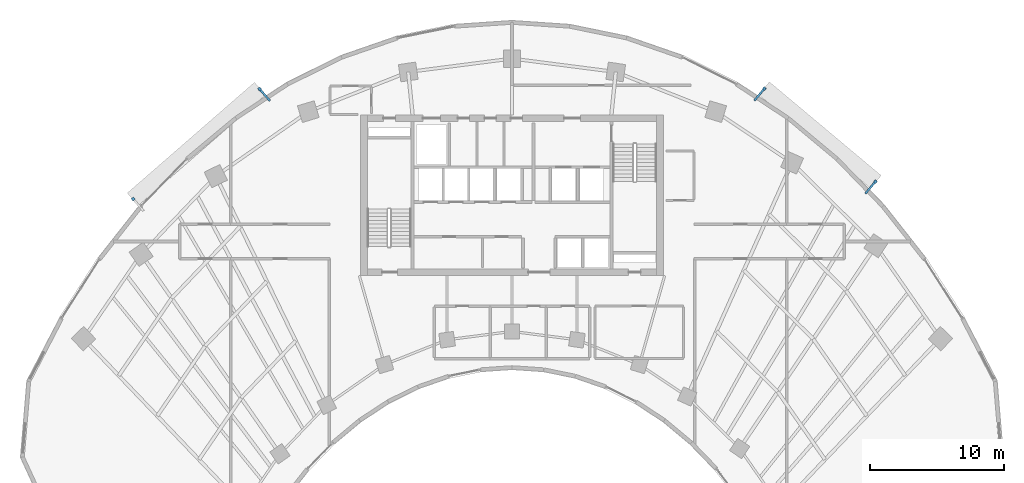
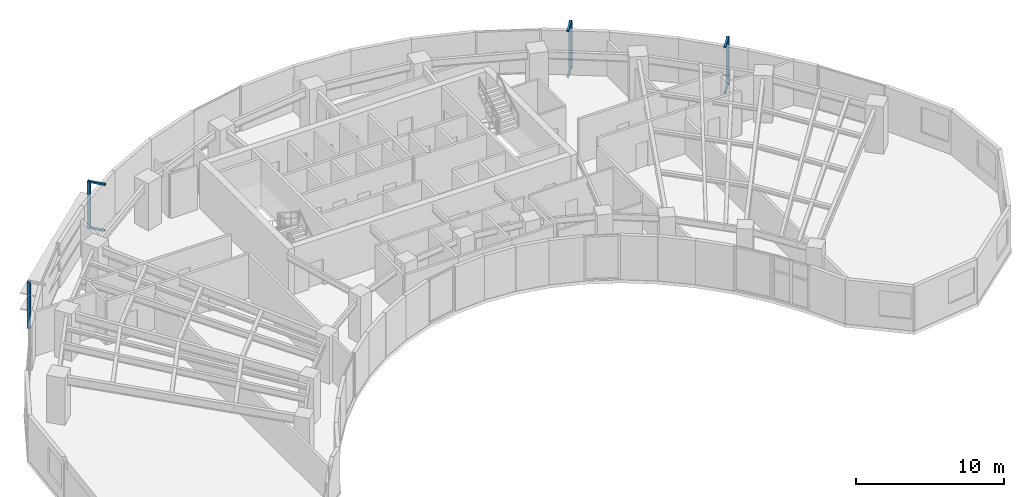
# One storey, part 12 of 14: 10 discrete accessories.
"""IFC4 building model written with IfcOpenShell, lengths in metres."""

from ifc_helpers import new_model, si_unit, direction, frame, origin, origin_2d, place, context, subcontext, project, spatial, rectangle, extrude, source, transform, mapped, material, type_object, type_shapes, element, save


model = new_model("IFC4")

# Units and contexts
model_context = context("Model", 3, precision=1e-05, world=origin(), true_north=direction((0.0, 1.0)))
body_context = subcontext(model_context, "Body", "Model", "MODEL_VIEW")
ifc_project = project(units=[si_unit("LENGTHUNIT", "METRE"), si_unit("AREAUNIT", "SQUARE_METRE"), si_unit("VOLUMEUNIT", "CUBIC_METRE"), si_unit("PLANEANGLEUNIT", "RADIAN"), si_unit("MASSUNIT", "GRAM", prefix="KILO")], contexts=[model_context])

# Site, building, storey
site_placement = place(None, origin())
site = spatial("IfcSite", under=ifc_project, at=site_placement, CompositionType="ELEMENT")
building_placement = place(site_placement, origin())
building = spatial("IfcBuilding", under=site, at=building_placement, Name="Breltana Convention Tower", CompositionType="ELEMENT")
storey_placement = place(building_placement, frame((0.0, 0.0, 111.60009765625)))
storey = spatial("IfcBuildingStorey", under=building, at=storey_placement, Name="L26", CompositionType="ELEMENT", Elevation=111.60009765625)

# Discrete accessories
ifc_material = material(Name="Steel S355", Category="steel")
discrete_accessory_type_1 = type_object("IfcDiscreteAccessoryType", Name="ACC-DSF-BRACKET-150", PredefinedType="BRACKET", material=ifc_material)
shared_shape_1 = source(origin(), body_context, "Body", "SweptSolid", [
    extrude(rectangle(XDim=1.239990234375, YDim=0.14990234375, at=origin_2d()), origin(), (0.0, 0.0, 1.0), 0.139892578125),
])
type_shapes(discrete_accessory_type_1, [shared_shape_1])
for number, where, z_axis, x_axis, name in (
    (1, (29.520751953125, 73.713623046875, -0.16015625), (0.0, 0.0, 1.0), (-0.656454255701, 0.754365833115, 0.0), "L26 double-skin slab stand-off bracket 1.2B"),
    (2, (29.520751953125, 73.713623046875, 3.64990234375), (0.0, 0.0, 1.0), (-0.656454255701, 0.754365833115, 0.0), "L26 double-skin slab stand-off bracket 1.2T"),
    (3, (66.487060546875, 73.735595703125, -0.16015625), (0.0, 0.0, 1.0), (0.641987488939, 0.766715112702, 0.0), "L26 double-skin slab stand-off bracket 2.1B"),
    (4, (66.487060546875, 73.735595703125, 3.64990234375), (0.0, 0.0, 1.0), (0.641987488939, 0.766715112702, 0.0), "L26 double-skin slab stand-off bracket 2.1T"),
    (5, (74.777099609375, 66.794189453125, -0.16015625), (0.0, 0.0, 1.0), (0.641987488939, 0.766715112702, 0.0), "L26 double-skin slab stand-off bracket 2.2B"),
    (6, (74.777099609375, 66.794189453125, 3.64990234375), (0.0, 0.0, 1.0), (0.641987488939, 0.766715112702, 0.0), "L26 double-skin slab stand-off bracket 2.2T"),
):
    element("IfcDiscreteAccessory", number, at=place(storey_placement, frame(where, z_axis=z_axis, x_axis=x_axis)), inside=storey, type_object=discrete_accessory_type_1, Name=name, PredefinedType="BRACKET", context=body_context, shape_type="MappedRepresentation", body=[
        mapped(shared_shape_1, transform((0.0, 0.0, 0.0), scale=1.0)),
    ])
discrete_accessory_type_2 = type_object("IfcDiscreteAccessoryType", Name="ACC-DSF-CARRIER-150", PredefinedType="BRACKET", material=ifc_material)
shared_shape_2 = source(origin(), body_context, "Body", "SweptSolid", [
    extrude(rectangle(XDim=0.219970703125, YDim=0.219970703125, at=origin_2d()), origin(), (0.0, 0.0, 1.0), 3.8701171875),
])
for number, where, z_axis, x_axis, name in (
    (7, (19.712646484375, 65.9208984375, -0.1201171875), (0.0, 0.0, 1.0), (-0.656454255701, 0.754365833115, 0.0), "L26 double-skin outer vertical carrier 1.1"),
    (8, (29.153076171875, 74.135986328125, -0.1201171875), (0.0, 0.0, 1.0), (-0.656454255701, 0.754365833115, 0.0), "L26 double-skin outer vertical carrier 1.2"),
    (9, (66.8466796875, 74.1650390625, -0.1201171875), (0.0, 0.0, 1.0), (0.641987488939, 0.766715112702, 0.0), "L26 double-skin outer vertical carrier 2.1"),
    (10, (75.13671875, 67.2236328125, -0.1201171875), (0.0, 0.0, 1.0), (0.641987488939, 0.766715112702, 0.0), "L26 double-skin outer vertical carrier 2.2"),
):
    element("IfcDiscreteAccessory", number, at=place(storey_placement, frame(where, z_axis=z_axis, x_axis=x_axis)), inside=storey, type_object=discrete_accessory_type_2, Name=name, PredefinedType="BRACKET", context=body_context, shape_type="MappedRepresentation", body=[
        mapped(shared_shape_2, transform((0.0, 0.0, 0.0), scale=1.0)),
    ])

save(model, "model.ifc")
